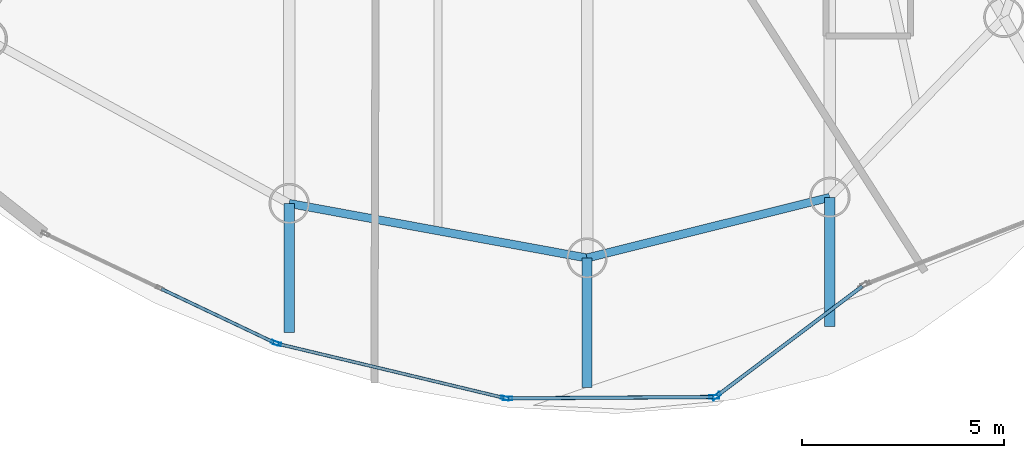
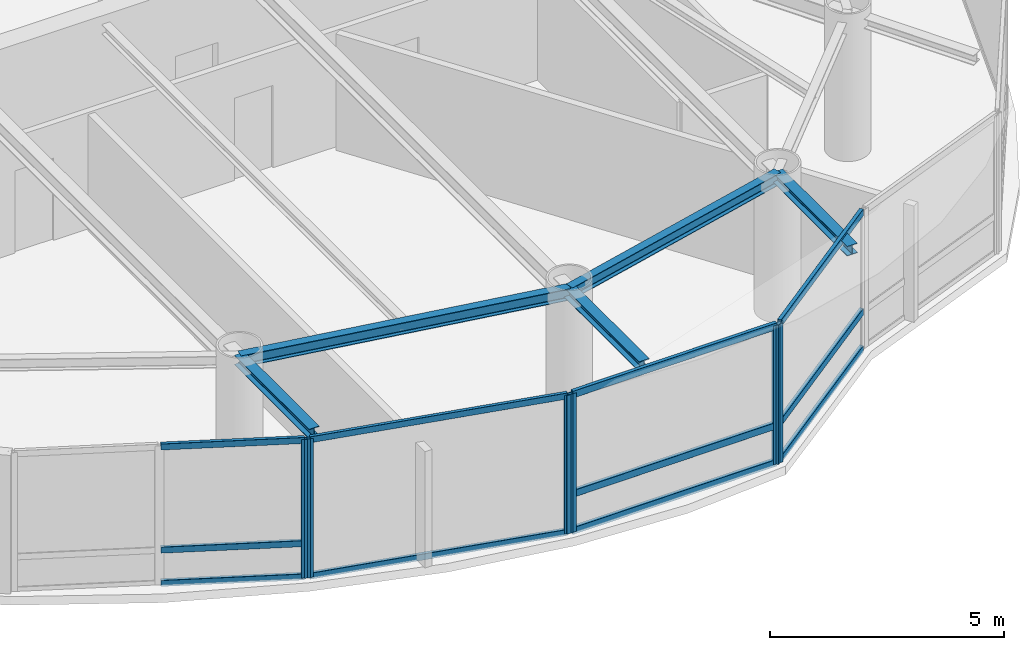
# One storey, part 4 of 20: 17 members, 5 beams, 4 elements without a shape of their own.
"""IFC4 building model written with IfcOpenShell, lengths in metres."""

from ifc_helpers import new_model, si_unit, direction, frame, origin, origin_2d, place, context, subcontext, project, spatial, hollow_rectangle, i_section, extrude, material, layer, layer_set, material_profile, profile_set, type_object, element, aggregate, save


model = new_model("IFC4")

# Units and contexts
model_context = context("Model", 3, precision=1e-05, world=origin(), true_north=direction((0.0, 1.0)))
body_context = subcontext(model_context, "Body", "Model", "MODEL_VIEW")
ifc_project = project(units=[si_unit("LENGTHUNIT", "METRE"), si_unit("AREAUNIT", "SQUARE_METRE"), si_unit("VOLUMEUNIT", "CUBIC_METRE"), si_unit("PLANEANGLEUNIT", "RADIAN"), si_unit("MASSUNIT", "GRAM", prefix="KILO")], contexts=[model_context])

# Site, building, storey
site_placement = place(None, origin())
site = spatial("IfcSite", under=ifc_project, at=site_placement, CompositionType="ELEMENT")
building_placement = place(site_placement, origin())
building = spatial("IfcBuilding", under=site, at=building_placement, Name="Bramvorn Convention Spire", CompositionType="ELEMENT")
storey_placement = place(building_placement, frame((0.0, 0.0, 276.699951171875)))
storey = spatial("IfcBuildingStorey", under=building, at=storey_placement, Name="L70", CompositionType="ELEMENT", Elevation=276.699951171875)

# Beams
ifc_material_1 = material(Name="Steel CSA G40.21 Grade 350 (350W)", Category="steel")
ifc_material_profile_1 = material_profile(ifc_material_1, i_section(OverallWidth=0.25390625, OverallDepth=0.2529296875, WebThickness=0.008544921875, FlangeThickness=0.01416015625, FilletRadius=0.011962890625, at=origin_2d()))
ifc_profile_set_1 = profile_set([ifc_material_profile_1], Name="Steel CSA G40.21 Grade 350 (350W) - W250X73")
beam_type_1 = type_object("IfcBeamType", Name="BM-W250X73", PredefinedType="BEAM", material=ifc_profile_set_1)
beam_1_placement = place(storey_placement, frame((49.199951171875, 6.60107421875, 3.49853515625), z_axis=(0.0, -1.0, 0.0), x_axis=(1.0, 0.0, 0.0)))
element("IfcBeam", 1, at=beam_1_placement, inside=storey, type_object=beam_type_1, Name="L70 slab-edge cantilever tip beam MC01", PredefinedType="BEAM", context=body_context, shape_type="SweptSolid", body=[
    extrude(i_section(OverallWidth=0.25390625, OverallDepth=0.2529296875, WebThickness=0.008544921875, FlangeThickness=0.01416015625, FilletRadius=0.011962890625, at=origin_2d()), origin(), (0.0, 0.0, 1.0), 3.2001953125),
])
for number, where, z_axis, x_axis, name in (
    (2, (35.8154296875, 6.44921875, 3.49853515625), (0.0, -1.0, 0.0), (1.0, 0.0, 0.0), "L70 slab-edge cantilever tip beam MC15"),
    (3, (43.1884765625, 5.09912109375, 3.49853515625), (0.0, -1.0, 0.0), (1.0, 0.0, 0.0), "L70 slab-edge cantilever tip beam MC16"),
):
    element("IfcBeam", number, at=place(storey_placement, frame(where, z_axis=z_axis, x_axis=x_axis)), inside=storey, type_object=beam_type_1, Name=name, PredefinedType="BEAM", context=body_context, shape_type="SweptSolid", body=[
        extrude(i_section(OverallWidth=0.25390625, OverallDepth=0.2529296875, WebThickness=0.008544921875, FlangeThickness=0.01416015625, FilletRadius=0.011962890625, at=origin_2d()), origin(), (0.0, 0.0, 1.0), 3.199951171875),
    ])
ifc_material_profile_2 = material_profile(ifc_material_1, i_section(OverallWidth=0.202880859375, OverallDepth=0.302978515625, WebThickness=0.007568359375, FlangeThickness=0.01318359375, FilletRadius=0.013916015625, at=origin_2d()))
ifc_profile_set_2 = profile_set([ifc_material_profile_2], Name="Steel CSA G40.21 Grade 350 (350W) - W310X60")
beam_type_2 = type_object("IfcBeamType", Name="BM-W310X60", PredefinedType="JOIST", material=ifc_profile_set_2)
beam_2_placement = place(storey_placement, frame((35.8154296875, 6.44921875, 3.4736328125), z_axis=(0.983645049461, -0.180117785547, 0.0), x_axis=(0.180117785547, 0.983645049461, 0.0)))
element("IfcBeam", 4, at=beam_2_placement, inside=storey, type_object=beam_type_2, Name="L70 mega-column ring beam 15", PredefinedType="JOIST", context=body_context, shape_type="SweptSolid", body=[
    extrude(i_section(OverallWidth=0.202880859375, OverallDepth=0.302978515625, WebThickness=0.007568359375, FlangeThickness=0.01318359375, FilletRadius=0.013916015625, at=origin_2d()), origin(), (0.0, 0.0, 1.0), 7.49560546875),
])
beam_3_placement = place(storey_placement, frame((43.1884765625, 5.09912109375, 3.4736328125), z_axis=(0.970177255997, 0.24239655927, 0.0), x_axis=(-0.24239655927, 0.970177255997, 0.0)))
element("IfcBeam", 5, at=beam_3_placement, inside=storey, type_object=beam_type_2, Name="L70 mega-column ring beam 16", PredefinedType="JOIST", context=body_context, shape_type="SweptSolid", body=[
    extrude(i_section(OverallWidth=0.202880859375, OverallDepth=0.302978515625, WebThickness=0.007568359375, FlangeThickness=0.01318359375, FilletRadius=0.013916015625, at=origin_2d()), origin(), (0.0, 0.0, 1.0), 6.1962890625),
])

# Curtain wall, member
ifc_material_2 = material(Name="Anodised Bronze Unitised Curtain Wall", Category="aluminium")
ifc_layer_1 = layer(ifc_material_2, 0.179931640625)
ifc_layer_set_1 = layer_set([ifc_layer_1], Name="Anodised Bronze Unitised Curtain Wall - CW-OFF-FRIT")
curtain_wall_type_1 = type_object("IfcCurtainWallType", Name="CW-OFF-FRIT", PredefinedType="USERDEFINED", material=ifc_layer_set_1)
curtain_wall_1_placement = place(storey_placement, origin())
curtain_wall_1 = element("IfcCurtainWall", 6, at=curtain_wall_1_placement, inside=storey, type_object=curtain_wall_type_1, Name="L70 fritted glass curtain wall 21", ObjectType="UNITISED CURTAIN WALL", PredefinedType="USERDEFINED")
ifc_material_3 = material(Name="Anodised Bronze Aluminium 6063-T6", Category="aluminium")
ifc_material_profile_3 = material_profile(ifc_material_3, hollow_rectangle(XDim=0.080078125, YDim=0.199951171875, WallThickness=0.00390625, InnerFilletRadius=0.0009765625, OuterFilletRadius=0.00390625, at=origin_2d()))
ifc_profile_set_3 = profile_set([ifc_material_profile_3], Name="Anodised Bronze Aluminium 6063-T6 - CWM80X200")
member_type_1 = type_object("IfcMemberType", Name="CW-MUL-180", PredefinedType="MULLION", material=ifc_profile_set_3)
member_1_placement = place(storey_placement, frame((35.460205078125, 2.9990234375, 0.0), z_axis=(0.0, 0.0, 1.0), x_axis=(-0.429265433629, -0.90317838077, 0.0)))
member_1 = element("IfcMember", 7, at=member_1_placement, type_object=member_type_1, Name="CW3 mullion 1", PredefinedType="MULLION", context=body_context, shape_type="SweptSolid", body=[
    extrude(hollow_rectangle(XDim=0.080078125, YDim=0.199951171875, WallThickness=0.00390625, InnerFilletRadius=0.0009765625, OuterFilletRadius=0.00390625, at=origin_2d()), origin(), (0.0, 0.0, 1.0), 3.625),
])

# Curtain wall, members
curtain_wall_2_placement = place(storey_placement, origin())
curtain_wall_2 = element("IfcCurtainWall", 8, at=curtain_wall_2_placement, inside=storey, type_object=curtain_wall_type_1, Name="L70 fritted glass curtain wall 22", ObjectType="UNITISED CURTAIN WALL", PredefinedType="USERDEFINED")
member_2_placement = place(storey_placement, frame((41.15771484375, 1.630615234375, 0.0), z_axis=(0.0, 0.0, 1.0), x_axis=(-0.232492503039, -0.972598188375, 0.0)))
member_2 = element("IfcMember", 9, at=member_2_placement, type_object=member_type_1, Name="CW3 mullion 1", PredefinedType="MULLION", context=body_context, shape_type="SweptSolid", body=[
    extrude(hollow_rectangle(XDim=0.080078125, YDim=0.199951171875, WallThickness=0.00390625, InnerFilletRadius=0.0009765625, OuterFilletRadius=0.00390625, at=origin_2d()), origin(), (0.0, 0.0, 1.0), 3.625),
])
member_3_placement = place(storey_placement, frame((35.5166015625, 2.97900390625, 0.0), z_axis=(0.0, 0.0, 1.0), x_axis=(-0.232492503039, -0.972598188375, 0.0)))
member_3 = element("IfcMember", 10, at=member_3_placement, type_object=member_type_1, Name="CW3 mullion 2", PredefinedType="MULLION", context=body_context, shape_type="SweptSolid", body=[
    extrude(hollow_rectangle(XDim=0.080078125, YDim=0.199951171875, WallThickness=0.00390625, InnerFilletRadius=0.0009765625, OuterFilletRadius=0.00390625, at=origin_2d()), origin(), (0.0, 0.0, 1.0), 3.625),
])

ifc_layer_2 = layer(ifc_material_2, 0.219970703125)
ifc_layer_set_2 = layer_set([ifc_layer_2], Name="Anodised Bronze Unitised Curtain Wall - CW-SKYGARDEN")
curtain_wall_type_2 = type_object("IfcCurtainWallType", Name="CW-SKYGARDEN", PredefinedType="USERDEFINED", material=ifc_layer_set_2)
curtain_wall_3_placement = place(storey_placement, origin())
curtain_wall_3 = element("IfcCurtainWall", 11, at=curtain_wall_3_placement, inside=storey, type_object=curtain_wall_type_2, Name="L70 Sky Garden glazed facade 23", ObjectType="WINTER GARDEN GLAZING", PredefinedType="USERDEFINED")
ifc_material_profile_4 = material_profile(ifc_material_3, hollow_rectangle(XDim=0.090087890625, YDim=0.239990234375, WallThickness=0.00439453125, InnerFilletRadius=0.0009765625, OuterFilletRadius=0.00439453125, at=origin_2d()))
ifc_profile_set_4 = profile_set([ifc_material_profile_4], Name="Anodised Bronze Aluminium 6063-T6 - CWM90X240")
member_type_2 = type_object("IfcMemberType", Name="CW-MUL-220", PredefinedType="MULLION", material=ifc_profile_set_4)
member_4_placement = place(storey_placement, frame((46.3359375, 1.6591796875, 0.0), z_axis=(0.0, 0.0, 1.0), x_axis=(0.006892925777, -0.999976243505, 0.0)))
member_4 = element("IfcMember", 12, at=member_4_placement, type_object=member_type_2, Name="CW4 mullion 1", PredefinedType="MULLION", context=body_context, shape_type="SweptSolid", body=[
    extrude(hollow_rectangle(XDim=0.090087890625, YDim=0.239990234375, WallThickness=0.00439453125, InnerFilletRadius=0.0009765625, OuterFilletRadius=0.00439453125, at=origin_2d()), origin(), (0.0, 0.0, 1.0), 3.625),
])
member_5_placement = place(storey_placement, frame((41.216796875, 1.6240234375, 0.0), z_axis=(0.0, 0.0, 1.0), x_axis=(0.006892925777, -0.999976243505, 0.0)))
member_5 = element("IfcMember", 13, at=member_5_placement, type_object=member_type_2, Name="CW4 mullion 2", PredefinedType="MULLION", context=body_context, shape_type="SweptSolid", body=[
    extrude(hollow_rectangle(XDim=0.090087890625, YDim=0.239990234375, WallThickness=0.00439453125, InnerFilletRadius=0.0009765625, OuterFilletRadius=0.00439453125, at=origin_2d()), origin(), (0.0, 0.0, 1.0), 3.625),
])

# Curtain wall, member
curtain_wall_4_placement = place(storey_placement, origin())
curtain_wall_4 = element("IfcCurtainWall", 14, at=curtain_wall_4_placement, inside=storey, type_object=curtain_wall_type_2, Name="L70 Sky Garden glazed facade 24", ObjectType="WINTER GARDEN GLAZING", PredefinedType="USERDEFINED")
member_6_placement = place(storey_placement, frame((46.389892578125, 1.677490234375, 0.0), z_axis=(0.0, 0.0, 1.0), x_axis=(0.601811781814, -0.79863795256, 0.0)))
member_6 = element("IfcMember", 15, at=member_6_placement, type_object=member_type_2, Name="CW4 mullion 2", PredefinedType="MULLION", context=body_context, shape_type="SweptSolid", body=[
    extrude(hollow_rectangle(XDim=0.090087890625, YDim=0.239990234375, WallThickness=0.00439453125, InnerFilletRadius=0.0009765625, OuterFilletRadius=0.00439453125, at=origin_2d()), origin(), (0.0, 0.0, 1.0), 3.625),
])

# Member
ifc_material_profile_5 = material_profile(ifc_material_3, hollow_rectangle(XDim=0.080078125, YDim=0.159912109375, WallThickness=0.00390625, InnerFilletRadius=0.0009765625, OuterFilletRadius=0.00390625, at=origin_2d()))
ifc_profile_set_5 = profile_set([ifc_material_profile_5], Name="Anodised Bronze Aluminium 6063-T6 - CWT80X160")
member_type_3 = type_object("IfcMemberType", Name="CW-TRN-150", PredefinedType="USERDEFINED", material=ifc_profile_set_5)
member_7_placement = place(storey_placement, frame((35.43310546875, 3.011962890625, 0.030029296875), z_axis=(-0.903182330581, 0.429257123093, 0.0), x_axis=(-0.429257123093, -0.903182330581, 0.0)))
member_7 = element("IfcMember", 16, at=member_7_placement, type_object=member_type_3, Name="CW3 transom 1.1", ObjectType="TRANSOM", PredefinedType="USERDEFINED", context=body_context, shape_type="SweptSolid", body=[
    extrude(hollow_rectangle(XDim=0.080078125, YDim=0.159912109375, WallThickness=0.00390625, InnerFilletRadius=0.0009765625, OuterFilletRadius=0.00390625, at=origin_2d()), origin(), (0.0, 0.0, 1.0), 3.08251953125),
])

member_8_placement = place(storey_placement, frame((35.43310546875, 3.011962890625, 0.900146484375), z_axis=(-0.903182330581, 0.429257123093, 0.0), x_axis=(-0.429257123093, -0.903182330581, 0.0)))
member_8 = element("IfcMember", 17, at=member_8_placement, type_object=member_type_3, Name="CW3 transom 1.2", ObjectType="TRANSOM", PredefinedType="USERDEFINED", context=body_context, shape_type="SweptSolid", body=[
    extrude(hollow_rectangle(XDim=0.080078125, YDim=0.159912109375, WallThickness=0.00390625, InnerFilletRadius=0.0009765625, OuterFilletRadius=0.00390625, at=origin_2d()), origin(), (0.0, 0.0, 1.0), 3.08251953125),
])

member_9_placement = place(storey_placement, frame((35.43310546875, 3.011962890625, 3.594970703125), z_axis=(-0.903182330581, 0.429257123093, 0.0), x_axis=(-0.429257123093, -0.903182330581, 0.0)))
member_9 = element("IfcMember", 18, at=member_9_placement, type_object=member_type_3, Name="CW3 transom 1.3", ObjectType="TRANSOM", PredefinedType="USERDEFINED", context=body_context, shape_type="SweptSolid", body=[
    extrude(hollow_rectangle(XDim=0.080078125, YDim=0.159912109375, WallThickness=0.00390625, InnerFilletRadius=0.0009765625, OuterFilletRadius=0.00390625, at=origin_2d()), origin(), (0.0, 0.0, 1.0), 3.08251953125),
])

aggregate(curtain_wall_1, [member_1, member_7, member_8, member_9])

member_10_placement = place(storey_placement, frame((41.12841796875, 1.6376953125, 0.030029296875), z_axis=(-0.972600011497, 0.232484876146, 0.0), x_axis=(-0.232484876146, -0.972600011497, 0.0)))
member_10 = element("IfcMember", 19, at=member_10_placement, type_object=member_type_3, Name="CW3 transom 1.1", ObjectType="TRANSOM", PredefinedType="USERDEFINED", context=body_context, shape_type="SweptSolid", body=[
    extrude(hollow_rectangle(XDim=0.080078125, YDim=0.159912109375, WallThickness=0.00390625, InnerFilletRadius=0.0009765625, OuterFilletRadius=0.00390625, at=origin_2d()), origin(), (0.0, 0.0, 1.0), 5.739990234375),
])

member_11_placement = place(storey_placement, frame((41.12841796875, 1.6376953125, 3.594970703125), z_axis=(-0.972600011497, 0.232484876146, 0.0), x_axis=(-0.232484876146, -0.972600011497, 0.0)))
member_11 = element("IfcMember", 20, at=member_11_placement, type_object=member_type_3, Name="CW3 transom 1.2", ObjectType="TRANSOM", PredefinedType="USERDEFINED", context=body_context, shape_type="SweptSolid", body=[
    extrude(hollow_rectangle(XDim=0.080078125, YDim=0.159912109375, WallThickness=0.00390625, InnerFilletRadius=0.0009765625, OuterFilletRadius=0.00390625, at=origin_2d()), origin(), (0.0, 0.0, 1.0), 5.739990234375),
])

aggregate(curtain_wall_2, [member_2, member_3, member_10, member_11])

ifc_material_profile_6 = material_profile(ifc_material_3, hollow_rectangle(XDim=0.090087890625, YDim=0.179931640625, WallThickness=0.00439453125, InnerFilletRadius=0.0009765625, OuterFilletRadius=0.00439453125, at=origin_2d()))
ifc_profile_set_6 = profile_set([ifc_material_profile_6], Name="Anodised Bronze Aluminium 6063-T6 - CWT90X180")
member_type_4 = type_object("IfcMemberType", Name="CW-TRN-180", PredefinedType="USERDEFINED", material=ifc_profile_set_6)
member_12_placement = place(storey_placement, frame((46.305908203125, 1.658935546875, 0.030029296875), z_axis=(-0.99997618979, -0.006900713982, 0.0), x_axis=(0.006900713982, -0.99997618979, 0.0)))
member_12 = element("IfcMember", 21, at=member_12_placement, type_object=member_type_4, Name="CW4 transom 1.1", ObjectType="TRANSOM", PredefinedType="USERDEFINED", context=body_context, shape_type="SweptSolid", body=[
    extrude(hollow_rectangle(XDim=0.090087890625, YDim=0.179931640625, WallThickness=0.00439453125, InnerFilletRadius=0.0009765625, OuterFilletRadius=0.00439453125, at=origin_2d()), origin(), (0.0, 0.0, 1.0), 5.05908203125),
])

member_13_placement = place(storey_placement, frame((46.305908203125, 1.658935546875, 1.0), z_axis=(-0.99997618979, -0.006900713982, 0.0), x_axis=(0.006900713982, -0.99997618979, 0.0)))
member_13 = element("IfcMember", 22, at=member_13_placement, type_object=member_type_4, Name="CW4 transom 1.2", ObjectType="TRANSOM", PredefinedType="USERDEFINED", context=body_context, shape_type="SweptSolid", body=[
    extrude(hollow_rectangle(XDim=0.090087890625, YDim=0.179931640625, WallThickness=0.00439453125, InnerFilletRadius=0.0009765625, OuterFilletRadius=0.00439453125, at=origin_2d()), origin(), (0.0, 0.0, 1.0), 5.05908203125),
])

member_14_placement = place(storey_placement, frame((46.305908203125, 1.658935546875, 3.594970703125), z_axis=(-0.99997618979, -0.006900713982, 0.0), x_axis=(0.006900713982, -0.99997618979, 0.0)))
member_14 = element("IfcMember", 23, at=member_14_placement, type_object=member_type_4, Name="CW4 transom 1.3", ObjectType="TRANSOM", PredefinedType="USERDEFINED", context=body_context, shape_type="SweptSolid", body=[
    extrude(hollow_rectangle(XDim=0.090087890625, YDim=0.179931640625, WallThickness=0.00439453125, InnerFilletRadius=0.0009765625, OuterFilletRadius=0.00439453125, at=origin_2d()), origin(), (0.0, 0.0, 1.0), 5.05908203125),
])

aggregate(curtain_wall_3, [member_4, member_5, member_12, member_13, member_14])

member_15_placement = place(storey_placement, frame((50.00341796875, 4.400390625, 0.030029296875), z_axis=(-0.798648699214, -0.601797520138, 0.0), x_axis=(0.601797520138, -0.798648699214, 0.0)))
member_15 = element("IfcMember", 24, at=member_15_placement, type_object=member_type_4, Name="CW4 transom 1.1", ObjectType="TRANSOM", PredefinedType="USERDEFINED", context=body_context, shape_type="SweptSolid", body=[
    extrude(hollow_rectangle(XDim=0.090087890625, YDim=0.179931640625, WallThickness=0.00439453125, InnerFilletRadius=0.0009765625, OuterFilletRadius=0.00439453125, at=origin_2d()), origin(), (0.0, 0.0, 1.0), 4.49462890625),
])

member_16_placement = place(storey_placement, frame((50.00341796875, 4.400390625, 1.0), z_axis=(-0.798648699214, -0.601797520138, 0.0), x_axis=(0.601797520138, -0.798648699214, 0.0)))
member_16 = element("IfcMember", 25, at=member_16_placement, type_object=member_type_4, Name="CW4 transom 1.2", ObjectType="TRANSOM", PredefinedType="USERDEFINED", context=body_context, shape_type="SweptSolid", body=[
    extrude(hollow_rectangle(XDim=0.090087890625, YDim=0.179931640625, WallThickness=0.00439453125, InnerFilletRadius=0.0009765625, OuterFilletRadius=0.00439453125, at=origin_2d()), origin(), (0.0, 0.0, 1.0), 4.49462890625),
])

member_17_placement = place(storey_placement, frame((50.00341796875, 4.400390625, 3.594970703125), z_axis=(-0.798648699214, -0.601797520138, 0.0), x_axis=(0.601797520138, -0.798648699214, 0.0)))
member_17 = element("IfcMember", 26, at=member_17_placement, type_object=member_type_4, Name="CW4 transom 1.3", ObjectType="TRANSOM", PredefinedType="USERDEFINED", context=body_context, shape_type="SweptSolid", body=[
    extrude(hollow_rectangle(XDim=0.090087890625, YDim=0.179931640625, WallThickness=0.00439453125, InnerFilletRadius=0.0009765625, OuterFilletRadius=0.00439453125, at=origin_2d()), origin(), (0.0, 0.0, 1.0), 4.49462890625),
])

aggregate(curtain_wall_4, [member_6, member_15, member_16, member_17])

save(model, "model.ifc")
